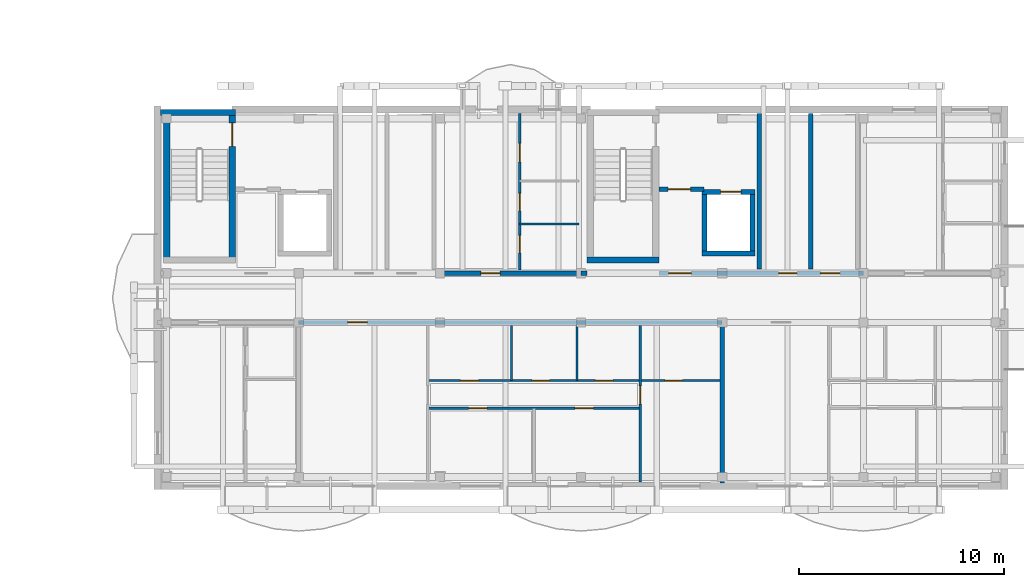
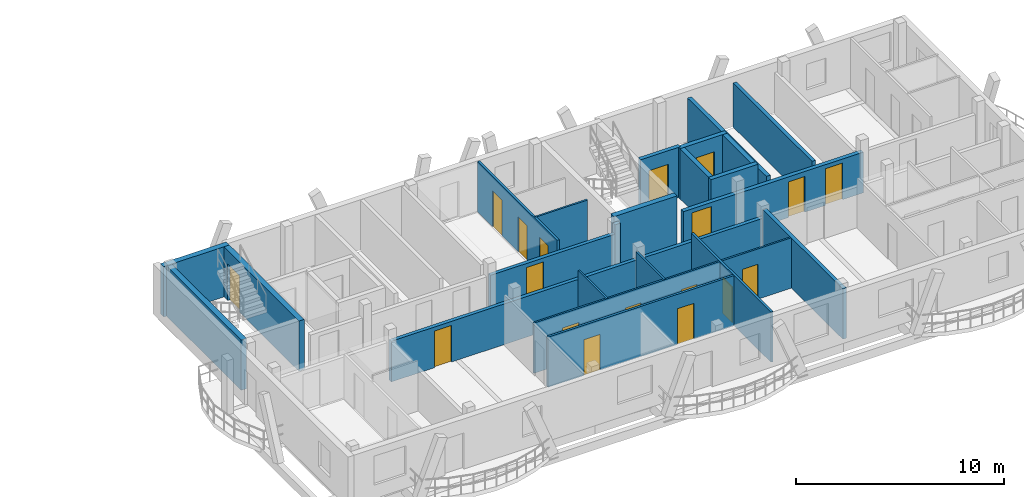
# One storey, part 26 of 42: 23 walls, 18 doors, 18 openings.
"""IFC4 building model written with IfcOpenShell, lengths in metres."""

from ifc_helpers import new_model, si_unit, direction, frame, frame_2d, origin, origin_with_axes, place, context, subcontext, project, spatial, rectangle, extrude, material, layer, layer_set, type_object, element, fill, save


model = new_model("IFC4")

# Units and contexts
model_context = context("Model", 3, precision=1e-05, world=origin(), true_north=direction((0.0, 1.0)))
body_context = subcontext(model_context, "Body", "Model", "MODEL_VIEW")
ifc_project = project(units=[si_unit("LENGTHUNIT", "METRE"), si_unit("AREAUNIT", "SQUARE_METRE"), si_unit("VOLUMEUNIT", "CUBIC_METRE"), si_unit("PLANEANGLEUNIT", "RADIAN"), si_unit("MASSUNIT", "GRAM", prefix="KILO")], contexts=[model_context])

# Site, building, storey
site_placement = place(None, origin())
site = spatial("IfcSite", under=ifc_project, at=site_placement, CompositionType="ELEMENT")
building_placement = place(site_placement, origin())
building = spatial("IfcBuilding", under=site, at=building_placement, Name="Zavelmont Quarter", CompositionType="ELEMENT")
storey_placement = place(building_placement, frame((0.0, 0.0, 24.0)))
storey = spatial("IfcBuildingStorey", under=building, at=storey_placement, Name="L07", CompositionType="ELEMENT", Elevation=24.0)

# Walls
ifc_material_1 = material(Name="Calcium-silicate blockwork and acoustic plaster", Category="masonry")
ifc_layer_1 = layer(ifc_material_1, 0.199951171875)
ifc_layer_set_1 = layer_set([ifc_layer_1], Name="Calcium-silicate blockwork and acoustic plaster")
wall_type_1 = type_object("IfcWallType", Name="IW01", PredefinedType="PARTITIONING", material=ifc_layer_set_1)
wall_1_placement = place(storey_placement, frame((158.52490234375, 10.60009765625, 0.0), z_axis=(0.0, 0.0, 1.0), x_axis=(0.0, 1.0, 0.0)))
element("IfcWall", 1, at=wall_1_placement, inside=storey, type_object=wall_type_1, Name="L07 Service riser divider wall IW01", PredefinedType="PARTITIONING", context=body_context, shape_type="SweptSolid", body=[
    extrude(rectangle(XDim=7.599853515625, YDim=0.199951171875, at=frame_2d((3.7998046875, 0.0))), origin(), (0.0, 0.0, 1.0), 2.590087890625),
])
wall_2_placement = place(storey_placement, frame((154.199951171875, 7.85009765625, 0.0), z_axis=(0.0, 0.0, 1.0), x_axis=(0.0, -1.0, 0.0)))
element("IfcWall", 2, at=wall_2_placement, inside=storey, type_object=wall_type_1, Name="L07 Inter-dwelling compartment wall IW01", PredefinedType="PARTITIONING", context=body_context, shape_type="SweptSolid", body=[
    extrude(rectangle(XDim=7.7001953125, YDim=0.199951171875, at=frame_2d((3.85009765625, 0.0))), origin(), (0.0, 0.0, 1.0), 2.949951171875),
])

# Wall, opening, door
wall_3_placement = place(storey_placement, frame((133.5, 8.0, 0.0), z_axis=(0.0, 0.0, 1.0), x_axis=(1.0, 0.0, 0.0)))
wall_3 = element("IfcWall", 3, at=wall_3_placement, inside=storey, type_object=wall_type_1, Name="L07 Corridor compartment wall IW01", PredefinedType="PARTITIONING", context=body_context, shape_type="SweptSolid", body=[
    extrude(rectangle(XDim=20.699951171875, YDim=0.199951171875, at=frame_2d((10.35009765625, 0.0))), origin(), (0.0, 0.0, 1.0), 2.389892578125),
])
opening_1_placement = place(wall_3_placement, frame((2.39990234375, 0.0, 0.0)))
opening_1 = element("IfcOpeningElement", 4, at=opening_1_placement, cuts=wall_3, Name="Opening DR02", PredefinedType="OPENING", context=body_context, shape_type="SweptSolid", body=[
    extrude(rectangle(XDim=0.949951171875, YDim=2.14990234375, at=frame_2d((0.47509765625, 1.074951171875))), frame((0.0, 0.11181640625, 0.0), z_axis=(0.0, -1.0, 0.0), x_axis=(1.0, 0.0, 0.0)), (0.0, 0.0, 1.0), 0.223876953125),
])
ifc_material_2 = material(Name="Solid-core oak fire leaf in steel frame", Category="steel")
door_type_1 = type_object("IfcDoorType", Name="DR02", OperationType="NOTDEFINED", PredefinedType="DOOR", material=ifc_material_2)
door_1_placement = place(opening_1_placement, frame((0.949951171875, 0.0, 0.0), z_axis=(0.0, 0.0, 1.0), x_axis=(-1.0, 0.0, 0.0)))
door_1 = element("IfcDoor", 5, at=door_1_placement, inside=storey, type_object=door_type_1, Name="L07 door DR02", OperationType="SINGLE_SWING_LEFT", OverallHeight=2.14990234375, OverallWidth=0.949951171875, PredefinedType="DOOR", context=body_context, shape_type="SweptSolid", body=[
    extrude(rectangle(XDim=0.949951171875, YDim=2.14990234375, at=frame_2d((0.47509765625, 1.074951171875))), frame((0.0, 0.02490234375, 0.0), z_axis=(0.0, -1.0, 0.0), x_axis=(1.0, 0.0, 0.0)), (0.0, 0.0, 1.0), 0.050048828125),
])
fill(opening_1, door_1)

wall_4_placement = place(storey_placement, frame((140.39990234375, 10.39990234375, 0.0), z_axis=(0.0, 0.0, 1.0), x_axis=(1.0, 0.0, 0.0)))
wall_4 = element("IfcWall", 6, at=wall_4_placement, inside=storey, type_object=wall_type_1, Name="L07 Corridor compartment wall IW01", PredefinedType="PARTITIONING", context=body_context, shape_type="SweptSolid", body=[
    extrude(rectangle(XDim=6.900146484375, YDim=0.199951171875, at=frame_2d((3.4501953125, 0.0))), origin(), (0.0, 0.0, 1.0), 2.389892578125),
])
opening_2_placement = place(wall_4_placement, frame((2.0, 0.0, 0.0)))
opening_2 = element("IfcOpeningElement", 7, at=opening_2_placement, cuts=wall_4, Name="Opening DR02", PredefinedType="OPENING", context=body_context, shape_type="SweptSolid", body=[
    extrude(rectangle(XDim=0.949951171875, YDim=2.14990234375, at=frame_2d((0.47509765625, 1.074951171875))), frame((0.0, 0.11181640625, 0.0), z_axis=(0.0, -1.0, 0.0), x_axis=(1.0, 0.0, 0.0)), (0.0, 0.0, 1.0), 0.223876953125),
])
door_2_placement = place(opening_2_placement, origin_with_axes())
door_2 = element("IfcDoor", 8, at=door_2_placement, inside=storey, type_object=door_type_1, Name="L07 door DR02", OperationType="SINGLE_SWING_LEFT", OverallHeight=2.14990234375, OverallWidth=0.949951171875, PredefinedType="DOOR", context=body_context, shape_type="SweptSolid", body=[
    extrude(rectangle(XDim=0.949951171875, YDim=2.14990234375, at=frame_2d((0.47509765625, 1.074951171875))), frame((0.0, 0.02490234375, 0.0), z_axis=(0.0, -1.0, 0.0), x_axis=(1.0, 0.0, 0.0)), (0.0, 0.0, 1.0), 0.050048828125),
])
fill(opening_2, door_2)

# Wall
ifc_material_3 = material(Name="Reinforced masonry fire compartment wall", Category="masonry")
ifc_layer_2 = layer(ifc_material_3, 0.22509765625)
ifc_layer_set_2 = layer_set([ifc_layer_2], Name="Reinforced masonry fire compartment wall")
wall_type_2 = type_object("IfcWallType", Name="IW02", PredefinedType="PARTITIONING", material=ifc_layer_set_2)
wall_5_placement = place(storey_placement, frame((156.010009765625, 10.60009765625, 0.0), z_axis=(0.0, 0.0, 1.0), x_axis=(0.0, 1.0, 0.0)))
element("IfcWall", 9, at=wall_5_placement, inside=storey, type_object=wall_type_2, Name="L07 Firefighting lobby enclosure wall IW02", PredefinedType="PARTITIONING", context=body_context, shape_type="SweptSolid", body=[
    extrude(rectangle(XDim=7.599853515625, YDim=0.22509765625, at=frame_2d((3.7998046875, 0.0))), origin(), (0.0, 0.0, 1.0), 2.590087890625),
])

# Wall, opening, door
wall_6_placement = place(storey_placement, frame((151.10009765625, 14.5, 0.0), z_axis=(0.0, 0.0, 1.0), x_axis=(1.0, 0.0, 0.0)))
wall_6 = element("IfcWall", 10, at=wall_6_placement, inside=storey, type_object=wall_type_2, Name="L07 Firefighting lobby threshold wall IW02", PredefinedType="PARTITIONING", context=body_context, shape_type="SweptSolid", body=[
    extrude(rectangle(XDim=2.199951171875, YDim=0.22509765625, at=frame_2d((1.10009765625, 0.0))), origin(), (0.0, 0.0, 1.0), 2.949951171875),
])
opening_3_placement = place(wall_6_placement, frame((0.449951171875, 0.0, 0.0)))
opening_3 = element("IfcOpeningElement", 11, at=opening_3_placement, cuts=wall_6, Name="Opening DR10", PredefinedType="OPENING", context=body_context, shape_type="SweptSolid", body=[
    extrude(rectangle(XDim=1.10009765625, YDim=2.14990234375, at=frame_2d((0.550048828125, 1.074951171875))), frame((0.0, 0.12451171875, 0.0), z_axis=(0.0, -1.0, 0.0), x_axis=(1.0, 0.0, 0.0)), (0.0, 0.0, 1.0), 0.2490234375),
])
ifc_material_4 = material(Name="Painted steel lobby fire door", Category="steel")
door_type_2 = type_object("IfcDoorType", Name="DR10", OperationType="NOTDEFINED", PredefinedType="DOOR", material=ifc_material_4)
door_3_placement = place(opening_3_placement, origin_with_axes())
door_3 = element("IfcDoor", 12, at=door_3_placement, inside=storey, type_object=door_type_2, Name="Firefighting lobby fire door", OperationType="SINGLE_SWING_RIGHT", OverallHeight=2.14990234375, OverallWidth=1.10009765625, PredefinedType="DOOR", context=body_context, shape_type="SweptSolid", body=[
    extrude(rectangle(XDim=1.10009765625, YDim=2.14990234375, at=frame_2d((0.550048828125, 1.074951171875))), frame((0.0, 0.02490234375, 0.0), z_axis=(0.0, -1.0, 0.0), x_axis=(1.0, 0.0, 0.0)), (0.0, 0.0, 1.0), 0.050048828125),
])
fill(opening_3, door_3)

# Wall
wall_7_placement = place(storey_placement, frame((147.300048828125, 10.39990234375, 0.0), z_axis=(0.0, 0.0, 1.0), x_axis=(1.0, 0.0, 0.0)))
element("IfcWall", 13, at=wall_7_placement, inside=storey, type_object=wall_type_2, Name="L07 Core corridor wall IW02", PredefinedType="PARTITIONING", context=body_context, shape_type="SweptSolid", body=[
    extrude(rectangle(XDim=0.300048828125, YDim=0.22509765625, at=frame_2d((0.14990234375, 0.0))), origin(), (0.0, 0.0, 1.0), 2.949951171875),
])

# Wall, openings, doors
wall_8_placement = place(storey_placement, frame((151.10009765625, 10.39990234375, 0.0), z_axis=(0.0, 0.0, 1.0), x_axis=(1.0, 0.0, 0.0)))
wall_8 = element("IfcWall", 14, at=wall_8_placement, inside=storey, type_object=wall_type_2, Name="L07 Core corridor fire wall IW02", PredefinedType="PARTITIONING", context=body_context, shape_type="SweptSolid", body=[
    extrude(rectangle(XDim=10.0, YDim=0.22509765625, at=frame_2d((5.0, 0.0))), origin(), (0.0, 0.0, 1.0), 2.389892578125),
])
opening_4_placement = place(wall_8_placement, frame((0.47509765625, 0.0, 0.0)))
opening_4 = element("IfcOpeningElement", 15, at=opening_4_placement, cuts=wall_8, Name="Opening DR10", PredefinedType="OPENING", context=body_context, shape_type="SweptSolid", body=[
    extrude(rectangle(XDim=1.10009765625, YDim=2.14990234375, at=frame_2d((0.550048828125, 1.074951171875))), frame((0.0, 0.12451171875, 0.0), z_axis=(0.0, -1.0, 0.0), x_axis=(1.0, 0.0, 0.0)), (0.0, 0.0, 1.0), 0.2490234375),
])
opening_5_placement = place(wall_8_placement, frame((5.85009765625, 0.0, 0.0)))
opening_5 = element("IfcOpeningElement", 16, at=opening_5_placement, cuts=wall_8, Name="Opening DR11", PredefinedType="OPENING", context=body_context, shape_type="SweptSolid", body=[
    extrude(rectangle(XDim=0.89990234375, YDim=2.10009765625, at=frame_2d((0.449951171875, 1.050048828125))), frame((0.0, 0.12451171875, 0.0), z_axis=(0.0, -1.0, 0.0), x_axis=(1.0, 0.0, 0.0)), (0.0, 0.0, 1.0), 0.2490234375),
])
opening_6_placement = place(wall_8_placement, frame((7.89990234375, 0.0, 0.0)))
opening_6 = element("IfcOpeningElement", 17, at=opening_6_placement, cuts=wall_8, Name="Opening DR02", PredefinedType="OPENING", context=body_context, shape_type="SweptSolid", body=[
    extrude(rectangle(XDim=0.949951171875, YDim=2.14990234375, at=frame_2d((0.47509765625, 1.074951171875))), frame((0.0, 0.12451171875, 0.0), z_axis=(0.0, -1.0, 0.0), x_axis=(1.0, 0.0, 0.0)), (0.0, 0.0, 1.0), 0.2490234375),
])
door_4_placement = place(opening_6_placement, frame((0.949951171875, 0.0, 0.0), z_axis=(0.0, 0.0, 1.0), x_axis=(-1.0, 0.0, 0.0)))
door_4 = element("IfcDoor", 18, at=door_4_placement, inside=storey, type_object=door_type_1, Name="Auxiliary store corridor door", OperationType="SINGLE_SWING_RIGHT", OverallHeight=2.14990234375, OverallWidth=0.949951171875, PredefinedType="DOOR", context=body_context, shape_type="SweptSolid", body=[
    extrude(rectangle(XDim=0.949951171875, YDim=2.14990234375, at=frame_2d((0.47509765625, 1.074951171875))), frame((0.0, 0.02490234375, 0.0), z_axis=(0.0, -1.0, 0.0), x_axis=(1.0, 0.0, 0.0)), (0.0, 0.0, 1.0), 0.050048828125),
])
fill(opening_6, door_4)
door_5_placement = place(opening_4_placement, origin_with_axes())
door_5 = element("IfcDoor", 19, at=door_5_placement, inside=storey, type_object=door_type_2, Name="Core vestibule fire door", OperationType="SINGLE_SWING_LEFT", OverallHeight=2.14990234375, OverallWidth=1.10009765625, PredefinedType="DOOR", context=body_context, shape_type="SweptSolid", body=[
    extrude(rectangle(XDim=1.10009765625, YDim=2.14990234375, at=frame_2d((0.550048828125, 1.074951171875))), frame((0.0, 0.02490234375, 0.0), z_axis=(0.0, -1.0, 0.0), x_axis=(1.0, 0.0, 0.0)), (0.0, 0.0, 1.0), 0.050048828125),
])
fill(opening_4, door_5)
ifc_material_5 = material(Name="Painted steel service-riser fire door", Category="steel")
door_type_3 = type_object("IfcDoorType", Name="DR11", OperationType="NOTDEFINED", PredefinedType="DOOR", material=ifc_material_5)
door_6_placement = place(opening_5_placement, frame((0.89990234375, 0.0, 0.0), z_axis=(0.0, 0.0, 1.0), x_axis=(-1.0, 0.0, 0.0)))
door_6 = element("IfcDoor", 20, at=door_6_placement, inside=storey, type_object=door_type_3, Name="Service riser fire door", OperationType="SINGLE_SWING_LEFT", OverallHeight=2.10009765625, OverallWidth=0.89990234375, PredefinedType="DOOR", context=body_context, shape_type="SweptSolid", body=[
    extrude(rectangle(XDim=0.89990234375, YDim=2.10009765625, at=frame_2d((0.449951171875, 1.050048828125))), frame((0.0, 0.02490234375, 0.0), z_axis=(0.0, -1.0, 0.0), x_axis=(1.0, 0.0, 0.0)), (0.0, 0.0, 1.0), 0.050048828125),
])
fill(opening_5, door_6)

# Wall, opening, door
ifc_material_6 = material(Name="Double gypsum board on acoustic steel stud", Category="steel")
ifc_layer_3 = layer(ifc_material_6, 0.125)
ifc_layer_set_3 = layer_set([ifc_layer_3], Name="Double gypsum board on acoustic steel stud")
wall_type_3 = type_object("IfcWallType", Name="IW03", PredefinedType="PARTITIONING", material=ifc_layer_set_3)
wall_9_placement = place(storey_placement, frame((150.199951171875, 7.85009765625, 0.0), z_axis=(0.0, 0.0, 1.0), x_axis=(0.0, -1.0, 0.0)))
wall_9 = element("IfcWall", 21, at=wall_9_placement, inside=storey, type_object=wall_type_3, Name="L07 Partition IW03", PredefinedType="PARTITIONING", context=body_context, shape_type="SweptSolid", body=[
    extrude(rectangle(XDim=7.650146484375, YDim=0.125, at=frame_2d((3.8251953125, 0.0))), origin(), (0.0, 0.0, 1.0), 2.949951171875),
])
opening_7_placement = place(wall_9_placement, frame((2.949951171875, 0.0, 0.0)))
opening_7 = element("IfcOpeningElement", 22, at=opening_7_placement, cuts=wall_9, Name="Opening DR05", PredefinedType="OPENING", context=body_context, shape_type="SweptSolid", body=[
    extrude(rectangle(XDim=0.89990234375, YDim=2.10009765625, at=frame_2d((0.449951171875, 1.050048828125))), frame((0.0, 0.074462890625, 0.0), z_axis=(0.0, -1.0, 0.0), x_axis=(1.0, 0.0, 0.0)), (0.0, 0.0, 1.0), 0.14892578125),
])
ifc_material_7 = material(Name="Engineered oak flush interior door")
door_type_4 = type_object("IfcDoorType", Name="DR05", OperationType="NOTDEFINED", PredefinedType="DOOR", material=ifc_material_7)
door_7_placement = place(opening_7_placement, frame((0.89990234375, 0.0, 0.0), z_axis=(0.0, 0.0, 1.0), x_axis=(-1.0, 0.0, 0.0)))
door_7 = element("IfcDoor", 23, at=door_7_placement, inside=storey, type_object=door_type_4, Name="L07 door DR05", OperationType="SINGLE_SWING_RIGHT", OverallHeight=2.10009765625, OverallWidth=0.89990234375, PredefinedType="DOOR", context=body_context, shape_type="SweptSolid", body=[
    extrude(rectangle(XDim=0.89990234375, YDim=2.10009765625, at=frame_2d((0.449951171875, 1.050048828125))), frame((0.0, 0.02490234375, 0.0), z_axis=(0.0, -1.0, 0.0), x_axis=(1.0, 0.0, 0.0)), (0.0, 0.0, 1.0), 0.050048828125),
])
fill(opening_7, door_7)

# Wall, openings, doors
wall_10_placement = place(storey_placement, frame((139.800048828125, 3.800048828125, 0.0), z_axis=(0.0, 0.0, 1.0), x_axis=(1.0, 0.0, 0.0)))
wall_10 = element("IfcWall", 24, at=wall_10_placement, inside=storey, type_object=wall_type_3, Name="L07 Partition IW03", PredefinedType="PARTITIONING", context=body_context, shape_type="SweptSolid", body=[
    extrude(rectangle(XDim=10.39990234375, YDim=0.125, at=frame_2d((5.199951171875, 0.0))), origin(), (0.0, 0.0, 1.0), 2.949951171875),
])
opening_8_placement = place(wall_10_placement, frame((2.0, 0.0, 0.0)))
opening_8 = element("IfcOpeningElement", 25, at=opening_8_placement, cuts=wall_10, Name="Opening DR05", PredefinedType="OPENING", context=body_context, shape_type="SweptSolid", body=[
    extrude(rectangle(XDim=0.89990234375, YDim=2.10009765625, at=frame_2d((0.449951171875, 1.050048828125))), frame((0.0, 0.074462890625, 0.0), z_axis=(0.0, -1.0, 0.0), x_axis=(1.0, 0.0, 0.0)), (0.0, 0.0, 1.0), 0.14892578125),
])
opening_9_placement = place(wall_10_placement, frame((7.199951171875, 0.0, 0.0)))
opening_9 = element("IfcOpeningElement", 26, at=opening_9_placement, cuts=wall_10, Name="Opening DR05", PredefinedType="OPENING", context=body_context, shape_type="SweptSolid", body=[
    extrude(rectangle(XDim=0.89990234375, YDim=2.10009765625, at=frame_2d((0.449951171875, 1.050048828125))), frame((0.0, 0.074462890625, 0.0), z_axis=(0.0, -1.0, 0.0), x_axis=(1.0, 0.0, 0.0)), (0.0, 0.0, 1.0), 0.14892578125),
])
door_8_placement = place(opening_8_placement, origin_with_axes())
door_8 = element("IfcDoor", 27, at=door_8_placement, inside=storey, type_object=door_type_4, Name="L07 door DR05", OperationType="SINGLE_SWING_LEFT", OverallHeight=2.10009765625, OverallWidth=0.89990234375, PredefinedType="DOOR", context=body_context, shape_type="SweptSolid", body=[
    extrude(rectangle(XDim=0.89990234375, YDim=2.10009765625, at=frame_2d((0.449951171875, 1.050048828125))), frame((0.0, 0.02490234375, 0.0), z_axis=(0.0, -1.0, 0.0), x_axis=(1.0, 0.0, 0.0)), (0.0, 0.0, 1.0), 0.050048828125),
])
fill(opening_8, door_8)
door_9_placement = place(opening_9_placement, frame((0.89990234375, 0.0, 0.0), z_axis=(0.0, 0.0, 1.0), x_axis=(-1.0, 0.0, 0.0)))
door_9 = element("IfcDoor", 28, at=door_9_placement, inside=storey, type_object=door_type_4, Name="L07 door DR05", OperationType="SINGLE_SWING_RIGHT", OverallHeight=2.10009765625, OverallWidth=0.89990234375, PredefinedType="DOOR", context=body_context, shape_type="SweptSolid", body=[
    extrude(rectangle(XDim=0.89990234375, YDim=2.10009765625, at=frame_2d((0.449951171875, 1.050048828125))), frame((0.0, 0.02490234375, 0.0), z_axis=(0.0, -1.0, 0.0), x_axis=(1.0, 0.0, 0.0)), (0.0, 0.0, 1.0), 0.050048828125),
])
fill(opening_9, door_9)

wall_11_placement = place(storey_placement, frame((144.300048828125, 10.550048828125, 0.0), z_axis=(0.0, 0.0, 1.0), x_axis=(0.0, 1.0, 0.0)))
wall_11 = element("IfcWall", 29, at=wall_11_placement, inside=storey, type_object=wall_type_3, Name="L07 Partition IW03", PredefinedType="PARTITIONING", context=body_context, shape_type="SweptSolid", body=[
    extrude(rectangle(XDim=7.64990234375, YDim=0.125, at=frame_2d((3.824951171875, 0.0))), origin(), (0.0, 0.0, 1.0), 2.949951171875),
])
opening_10_placement = place(wall_11_placement, frame((0.85009765625, 0.0, 0.0)))
opening_10 = element("IfcOpeningElement", 30, at=opening_10_placement, cuts=wall_11, Name="Opening DR16", PredefinedType="OPENING", context=body_context, shape_type="SweptSolid", body=[
    extrude(rectangle(XDim=0.85009765625, YDim=2.10009765625, at=frame_2d((0.425048828125, 1.050048828125))), frame((0.0, 0.074462890625, 0.0), z_axis=(0.0, -1.0, 0.0), x_axis=(1.0, 0.0, 0.0)), (0.0, 0.0, 1.0), 0.14892578125),
])
opening_11_placement = place(wall_11_placement, frame((2.89990234375, 0.0, 0.0)))
opening_11 = element("IfcOpeningElement", 31, at=opening_11_placement, cuts=wall_11, Name="Opening DR06", PredefinedType="OPENING", context=body_context, shape_type="SweptSolid", body=[
    extrude(rectangle(XDim=0.85009765625, YDim=2.050048828125, at=frame_2d((0.425048828125, 1.02490234375))), frame((0.0, 0.074462890625, 0.0), z_axis=(0.0, -1.0, 0.0), x_axis=(1.0, 0.0, 0.0)), (0.0, 0.0, 1.0), 0.14892578125),
])
opening_12_placement = place(wall_11_placement, frame((5.300048828125, 0.0, 0.0)))
opening_12 = element("IfcOpeningElement", 32, at=opening_12_placement, cuts=wall_11, Name="Opening DR05", PredefinedType="OPENING", context=body_context, shape_type="SweptSolid", body=[
    extrude(rectangle(XDim=0.89990234375, YDim=2.10009765625, at=frame_2d((0.449951171875, 1.050048828125))), frame((0.0, 0.074462890625, 0.0), z_axis=(0.0, -1.0, 0.0), x_axis=(1.0, 0.0, 0.0)), (0.0, 0.0, 1.0), 0.14892578125),
])
door_10_placement = place(opening_12_placement, frame((0.89990234375, 0.0, 0.0), z_axis=(0.0, 0.0, 1.0), x_axis=(-1.0, 0.0, 0.0)))
door_10 = element("IfcDoor", 33, at=door_10_placement, inside=storey, type_object=door_type_4, Name="L07 door DR05", OperationType="SINGLE_SWING_LEFT", OverallHeight=2.10009765625, OverallWidth=0.89990234375, PredefinedType="DOOR", context=body_context, shape_type="SweptSolid", body=[
    extrude(rectangle(XDim=0.89990234375, YDim=2.10009765625, at=frame_2d((0.449951171875, 1.050048828125))), frame((0.0, 0.02490234375, 0.0), z_axis=(0.0, -1.0, 0.0), x_axis=(1.0, 0.0, 0.0)), (0.0, 0.0, 1.0), 0.050048828125),
])
fill(opening_12, door_10)
ifc_material_8 = material(Name="Moisture-resistant painted wet-room door")
door_type_5 = type_object("IfcDoorType", Name="DR06", OperationType="NOTDEFINED", PredefinedType="DOOR", material=ifc_material_8)
door_11_placement = place(opening_11_placement, origin_with_axes())
door_11 = element("IfcDoor", 34, at=door_11_placement, inside=storey, type_object=door_type_5, Name="L07 door DR06", OperationType="SINGLE_SWING_RIGHT", OverallHeight=2.050048828125, OverallWidth=0.85009765625, PredefinedType="DOOR", context=body_context, shape_type="SweptSolid", body=[
    extrude(rectangle(XDim=0.85009765625, YDim=2.050048828125, at=frame_2d((0.425048828125, 1.02490234375))), frame((0.0, 0.02490234375, 0.0), z_axis=(0.0, -1.0, 0.0), x_axis=(1.0, 0.0, 0.0)), (0.0, 0.0, 1.0), 0.050048828125),
])
fill(opening_11, door_11)
door_type_6 = type_object("IfcDoorType", Name="DR16", OperationType="NOTDEFINED", PredefinedType="DOOR", material=ifc_material_7)
door_12_placement = place(opening_10_placement, frame((0.85009765625, 0.0, 0.0), z_axis=(0.0, 0.0, 1.0), x_axis=(-1.0, 0.0, 0.0)))
door_12 = element("IfcDoor", 35, at=door_12_placement, inside=storey, type_object=door_type_6, Name="L07 door DR16", OperationType="SINGLE_SWING_LEFT", OverallHeight=2.10009765625, OverallWidth=0.85009765625, PredefinedType="DOOR", context=body_context, shape_type="SweptSolid", body=[
    extrude(rectangle(XDim=0.85009765625, YDim=2.10009765625, at=frame_2d((0.425048828125, 1.050048828125))), frame((0.0, 0.02490234375, 0.0), z_axis=(0.0, -1.0, 0.0), x_axis=(1.0, 0.0, 0.0)), (0.0, 0.0, 1.0), 0.050048828125),
])
fill(opening_10, door_12)

# Walls
ifc_material_9 = material(Name="Moisture-resistant gypsum board on steel stud", Category="steel")
ifc_layer_4 = layer(ifc_material_9, 0.10009765625)
ifc_layer_set_4 = layer_set([ifc_layer_4], Name="Moisture-resistant gypsum board on steel stud")
wall_type_4 = type_object("IfcWallType", Name="IW04", PredefinedType="PARTITIONING", material=ifc_layer_set_4)
for number, where, z_axis, x_axis, name in (
    (36, (143.89990234375, 7.85009765625, 0.0), (0.0, 0.0, 1.0), (0.0, -1.0, 0.0), "L07 Partition IW04"),
    (37, (147.10009765625, 7.85009765625, 0.0), (0.0, 0.0, 1.0), (0.0, -1.0, 0.0), "L07 Partition IW04"),
):
    element("IfcWall", number, at=place(storey_placement, frame(where, z_axis=z_axis, x_axis=x_axis)), inside=storey, type_object=wall_type_4, Name=name, PredefinedType="PARTITIONING", context=body_context, shape_type="SweptSolid", body=[
        extrude(rectangle(XDim=2.7001953125, YDim=0.10009765625, at=frame_2d((1.35009765625, 0.0))), origin(), (0.0, 0.0, 1.0), 2.949951171875),
    ])

# Wall, openings, doors
wall_12_placement = place(storey_placement, frame((139.800048828125, 5.14990234375, 0.0), z_axis=(0.0, 0.0, 1.0), x_axis=(1.0, 0.0, 0.0)))
wall_12 = element("IfcWall", 38, at=wall_12_placement, inside=storey, type_object=wall_type_4, Name="L07 Partition IW04", PredefinedType="PARTITIONING", context=body_context, shape_type="SweptSolid", body=[
    extrude(rectangle(XDim=14.300048828125, YDim=0.10009765625, at=frame_2d((7.14990234375, 0.0))), origin(), (0.0, 0.0, 1.0), 2.949951171875),
])
opening_13_placement = place(wall_12_placement, frame((1.60009765625, 0.0, 0.0)))
opening_13 = element("IfcOpeningElement", 39, at=opening_13_placement, cuts=wall_12, Name="Opening DR05", PredefinedType="OPENING", context=body_context, shape_type="SweptSolid", body=[
    extrude(rectangle(XDim=0.89990234375, YDim=2.10009765625, at=frame_2d((0.449951171875, 1.050048828125))), frame((0.0, 0.06201171875, 0.0), z_axis=(0.0, -1.0, 0.0), x_axis=(1.0, 0.0, 0.0)), (0.0, 0.0, 1.0), 0.1240234375),
])
opening_14_placement = place(wall_12_placement, frame((5.10009765625, 0.0, 0.0)))
opening_14 = element("IfcOpeningElement", 40, at=opening_14_placement, cuts=wall_12, Name="Opening DR06", PredefinedType="OPENING", context=body_context, shape_type="SweptSolid", body=[
    extrude(rectangle(XDim=0.85009765625, YDim=2.050048828125, at=frame_2d((0.425048828125, 1.02490234375))), frame((0.0, 0.06201171875, 0.0), z_axis=(0.0, -1.0, 0.0), x_axis=(1.0, 0.0, 0.0)), (0.0, 0.0, 1.0), 0.1240234375),
])
opening_15_placement = place(wall_12_placement, frame((8.199951171875, 0.0, 0.0)))
opening_15 = element("IfcOpeningElement", 41, at=opening_15_placement, cuts=wall_12, Name="Opening DR06", PredefinedType="OPENING", context=body_context, shape_type="SweptSolid", body=[
    extrude(rectangle(XDim=0.85009765625, YDim=2.050048828125, at=frame_2d((0.425048828125, 1.02490234375))), frame((0.0, 0.06201171875, 0.0), z_axis=(0.0, -1.0, 0.0), x_axis=(1.0, 0.0, 0.0)), (0.0, 0.0, 1.0), 0.1240234375),
])
opening_16_placement = place(wall_12_placement, frame((11.60009765625, 0.0, 0.0)))
opening_16 = element("IfcOpeningElement", 42, at=opening_16_placement, cuts=wall_12, Name="Opening DR06", PredefinedType="OPENING", context=body_context, shape_type="SweptSolid", body=[
    extrude(rectangle(XDim=0.85009765625, YDim=2.050048828125, at=frame_2d((0.425048828125, 1.02490234375))), frame((0.0, 0.06201171875, 0.0), z_axis=(0.0, -1.0, 0.0), x_axis=(1.0, 0.0, 0.0)), (0.0, 0.0, 1.0), 0.1240234375),
])
door_13_placement = place(opening_13_placement, origin_with_axes())
door_13 = element("IfcDoor", 43, at=door_13_placement, inside=storey, type_object=door_type_4, Name="L07 door DR05", OperationType="SINGLE_SWING_LEFT", OverallHeight=2.10009765625, OverallWidth=0.89990234375, PredefinedType="DOOR", context=body_context, shape_type="SweptSolid", body=[
    extrude(rectangle(XDim=0.89990234375, YDim=2.10009765625, at=frame_2d((0.449951171875, 1.050048828125))), frame((0.0, 0.02490234375, 0.0), z_axis=(0.0, -1.0, 0.0), x_axis=(1.0, 0.0, 0.0)), (0.0, 0.0, 1.0), 0.050048828125),
])
fill(opening_13, door_13)
door_14_placement = place(opening_14_placement, frame((0.85009765625, 0.0, 0.0), z_axis=(0.0, 0.0, 1.0), x_axis=(-1.0, 0.0, 0.0)))
door_14 = element("IfcDoor", 44, at=door_14_placement, inside=storey, type_object=door_type_5, Name="L07 door DR06", OperationType="SINGLE_SWING_RIGHT", OverallHeight=2.050048828125, OverallWidth=0.85009765625, PredefinedType="DOOR", context=body_context, shape_type="SweptSolid", body=[
    extrude(rectangle(XDim=0.85009765625, YDim=2.050048828125, at=frame_2d((0.425048828125, 1.02490234375))), frame((0.0, 0.02490234375, 0.0), z_axis=(0.0, -1.0, 0.0), x_axis=(1.0, 0.0, 0.0)), (0.0, 0.0, 1.0), 0.050048828125),
])
fill(opening_14, door_14)
door_15_placement = place(opening_15_placement, origin_with_axes())
door_15 = element("IfcDoor", 45, at=door_15_placement, inside=storey, type_object=door_type_5, Name="L07 door DR06", OperationType="SINGLE_SWING_LEFT", OverallHeight=2.050048828125, OverallWidth=0.85009765625, PredefinedType="DOOR", context=body_context, shape_type="SweptSolid", body=[
    extrude(rectangle(XDim=0.85009765625, YDim=2.050048828125, at=frame_2d((0.425048828125, 1.02490234375))), frame((0.0, 0.02490234375, 0.0), z_axis=(0.0, -1.0, 0.0), x_axis=(1.0, 0.0, 0.0)), (0.0, 0.0, 1.0), 0.050048828125),
])
fill(opening_15, door_15)
door_16_placement = place(opening_16_placement, frame((0.85009765625, 0.0, 0.0), z_axis=(0.0, 0.0, 1.0), x_axis=(-1.0, 0.0, 0.0)))
door_16 = element("IfcDoor", 46, at=door_16_placement, inside=storey, type_object=door_type_5, Name="L07 door DR06", OperationType="SINGLE_SWING_RIGHT", OverallHeight=2.050048828125, OverallWidth=0.85009765625, PredefinedType="DOOR", context=body_context, shape_type="SweptSolid", body=[
    extrude(rectangle(XDim=0.85009765625, YDim=2.050048828125, at=frame_2d((0.425048828125, 1.02490234375))), frame((0.0, 0.02490234375, 0.0), z_axis=(0.0, -1.0, 0.0), x_axis=(1.0, 0.0, 0.0)), (0.0, 0.0, 1.0), 0.050048828125),
])
fill(opening_16, door_16)

# Walls
wall_13_placement = place(storey_placement, frame((144.300048828125, 12.800048828125, 0.0), z_axis=(0.0, 0.0, 1.0), x_axis=(1.0, 0.0, 0.0)))
element("IfcWall", 47, at=wall_13_placement, inside=storey, type_object=wall_type_4, Name="L07 Partition IW04", PredefinedType="PARTITIONING", context=body_context, shape_type="SweptSolid", body=[
    extrude(rectangle(XDim=2.89990234375, YDim=0.10009765625, at=frame_2d((1.449951171875, 0.0))), origin(), (0.0, 0.0, 1.0), 2.949951171875),
])
ifc_material_10 = material(Name="Concrete C40/50", Category="concrete")
ifc_layer_5 = layer(ifc_material_10, 0.300048828125)
ifc_layer_set_5 = layer_set([ifc_layer_5], Name="Concrete C40/50")
wall_type_5 = type_object("IfcWallType", Name="SW01", PredefinedType="SHEAR", material=ifc_layer_set_5)
wall_14_placement = place(storey_placement, frame((127.050048828125, 10.89990234375, 0.0), z_axis=(0.0, 0.0, 1.0), x_axis=(0.0, 1.0, 0.0)))
element("IfcWall", 48, at=wall_14_placement, inside=storey, type_object=wall_type_5, Name="L07 ST07 west shear wall SW01", PredefinedType="SHEAR", context=body_context, shape_type="SweptSolid", body=[
    extrude(rectangle(XDim=7.5, YDim=0.300048828125, at=frame_2d((3.75, 0.0))), origin(), (0.0, 0.0, 1.0), 2.949951171875),
])

# Wall, opening, door
wall_15_placement = place(storey_placement, frame((130.25, 10.89990234375, 0.0), z_axis=(0.0, 0.0, 1.0), x_axis=(0.0, 1.0, 0.0)))
wall_15 = element("IfcWall", 49, at=wall_15_placement, inside=storey, type_object=wall_type_5, Name="L07 ST07 lobby shear wall SW01", PredefinedType="SHEAR", context=body_context, shape_type="SweptSolid", body=[
    extrude(rectangle(XDim=7.5, YDim=0.300048828125, at=frame_2d((3.75, 0.0))), origin(), (0.0, 0.0, 1.0), 2.949951171875),
])
opening_17_placement = place(wall_15_placement, frame((5.699951171875, 0.0, 0.0)))
opening_17 = element("IfcOpeningElement", 50, at=opening_17_placement, cuts=wall_15, Name="Opening DR09", PredefinedType="OPENING", context=body_context, shape_type="SweptSolid", body=[
    extrude(rectangle(XDim=1.14990234375, YDim=2.14990234375, at=frame_2d((0.574951171875, 1.074951171875))), frame((0.0, 0.162109375, 0.0), z_axis=(0.0, -1.0, 0.0), x_axis=(1.0, 0.0, 0.0)), (0.0, 0.0, 1.0), 0.323974609375),
])
ifc_material_11 = material(Name="Painted steel stair-core fire door", Category="steel")
door_type_7 = type_object("IfcDoorType", Name="DR09", OperationType="NOTDEFINED", PredefinedType="DOOR", material=ifc_material_11)
door_17_placement = place(opening_17_placement, origin_with_axes())
door_17 = element("IfcDoor", 51, at=door_17_placement, inside=storey, type_object=door_type_7, Name="ST07 protected stair door", OperationType="SINGLE_SWING_LEFT", OverallHeight=2.14990234375, OverallWidth=1.14990234375, PredefinedType="DOOR", context=body_context, shape_type="SweptSolid", body=[
    extrude(rectangle(XDim=1.14990234375, YDim=2.14990234375, at=frame_2d((0.574951171875, 1.074951171875))), frame((0.0, 0.02490234375, 0.0), z_axis=(0.0, -1.0, 0.0), x_axis=(1.0, 0.0, 0.0)), (0.0, 0.0, 1.0), 0.050048828125),
])
fill(opening_17, door_17)

# Wall
wall_16_placement = place(storey_placement, frame((147.60009765625, 11.050048828125, 0.0), z_axis=(0.0, 0.0, 1.0), x_axis=(1.0, 0.0, 0.0)))
element("IfcWall", 52, at=wall_16_placement, inside=storey, type_object=wall_type_5, Name="L07 ST08 corridor shear wall SW01", PredefinedType="SHEAR", context=body_context, shape_type="SweptSolid", body=[
    extrude(rectangle(XDim=3.5, YDim=0.300048828125, at=frame_2d((1.75, 0.0))), origin(), (0.0, 0.0, 1.0), 2.949951171875),
])

# Wall, opening, door
ifc_layer_6 = layer(ifc_material_10, 0.25)
ifc_layer_set_6 = layer_set([ifc_layer_6], Name="Concrete C40/50")
wall_type_6 = type_object("IfcWallType", Name="SW02", PredefinedType="SHEAR", material=ifc_layer_set_6)
wall_17_placement = place(storey_placement, frame((153.199951171875, 14.375, 0.0), z_axis=(0.0, 0.0, 1.0), x_axis=(1.0, 0.0, 0.0)))
wall_17 = element("IfcWall", 53, at=wall_17_placement, inside=storey, type_object=wall_type_6, Name="L07 Lift LF08 landing shaft wall SW02", PredefinedType="SHEAR", context=body_context, shape_type="SweptSolid", body=[
    extrude(rectangle(XDim=2.60009765625, YDim=0.25, at=frame_2d((1.300048828125, 0.0))), origin(), (0.0, 0.0, 1.0), 2.949951171875),
])
opening_18_placement = place(wall_17_placement, frame((0.925048828125, 0.0, 0.0)))
opening_18 = element("IfcOpeningElement", 54, at=opening_18_placement, cuts=wall_17, Name="Opening LD01", PredefinedType="OPENING", context=body_context, shape_type="SweptSolid", body=[
    extrude(rectangle(XDim=1.0, YDim=2.10009765625, at=frame_2d((0.5, 1.050048828125))), frame((0.0, 0.136962890625, 0.0), z_axis=(0.0, -1.0, 0.0), x_axis=(1.0, 0.0, 0.0)), (0.0, 0.0, 1.0), 0.27392578125),
])
ifc_material_12 = material(Name="Brushed stainless-steel automatic sliding landing door", Category="steel")
door_type_8 = type_object("IfcDoorType", Name="LD01", OperationType="SLIDING_TO_LEFT", PredefinedType="DOOR", material=ifc_material_12)
door_18_placement = place(opening_18_placement, origin_with_axes())
door_18 = element("IfcDoor", 55, at=door_18_placement, inside=storey, type_object=door_type_8, Name="Lift LF08 sliding landing door", OperationType="SLIDING_TO_LEFT", OverallHeight=2.10009765625, OverallWidth=1.0, PredefinedType="DOOR", context=body_context, shape_type="SweptSolid", body=[
    extrude(rectangle(XDim=1.0, YDim=2.10009765625, at=frame_2d((0.5, 1.050048828125))), frame((0.0, 0.02490234375, 0.0), z_axis=(0.0, -1.0, 0.0), x_axis=(1.0, 0.0, 0.0)), (0.0, 0.0, 1.0), 0.050048828125),
])
fill(opening_18, door_18)

# Walls
wall_18_placement = place(storey_placement, frame((153.199951171875, 11.375, 0.0), z_axis=(0.0, 0.0, 1.0), x_axis=(1.0, 0.0, 0.0)))
element("IfcWall", 56, at=wall_18_placement, inside=storey, type_object=wall_type_6, Name="L07 Lift LF08 back shaft wall SW02", PredefinedType="SHEAR", context=body_context, shape_type="SweptSolid", body=[
    extrude(rectangle(XDim=2.60009765625, YDim=0.25, at=frame_2d((1.300048828125, 0.0))), origin(), (0.0, 0.0, 1.0), 2.949951171875),
])
for number, where, z_axis, x_axis, name in (
    (57, (153.324951171875, 11.25, 0.0), (0.0, 0.0, 1.0), (0.0, 1.0, 0.0), "L07 Lift LF08 west shaft wall SW02"),
    (58, (155.675048828125, 11.25, 0.0), (0.0, 0.0, 1.0), (0.0, 1.0, 0.0), "L07 Lift LF08 east shaft wall SW02"),
):
    element("IfcWall", number, at=place(storey_placement, frame(where, z_axis=z_axis, x_axis=x_axis)), inside=storey, type_object=wall_type_6, Name=name, PredefinedType="SHEAR", context=body_context, shape_type="SweptSolid", body=[
        extrude(rectangle(XDim=3.25, YDim=0.25, at=frame_2d((1.625, 0.0))), origin(), (0.0, 0.0, 1.0), 2.949951171875),
    ])
ifc_layer_7 = layer(ifc_material_10, 0.300048828125)
ifc_layer_set_7 = layer_set([ifc_layer_7], Name="Concrete C40/50")
wall_type_7 = type_object("IfcWallType", Name="SW03", PredefinedType="SHEAR", material=ifc_layer_set_7)
wall_19_placement = place(storey_placement, frame((126.75, 18.25, 0.0), z_axis=(0.0, 0.0, 1.0), x_axis=(1.0, 0.0, 0.0)))
element("IfcWall", 59, at=wall_19_placement, inside=storey, type_object=wall_type_7, Name="L07 ST07 outer shear wall SW03", PredefinedType="SHEAR", context=body_context, shape_type="SweptSolid", body=[
    extrude(rectangle(XDim=3.64990234375, YDim=0.300048828125, at=frame_2d((1.824951171875, 0.0))), origin(), (0.0, 0.0, 1.0), 2.949951171875),
])

save(model, "model.ifc")
